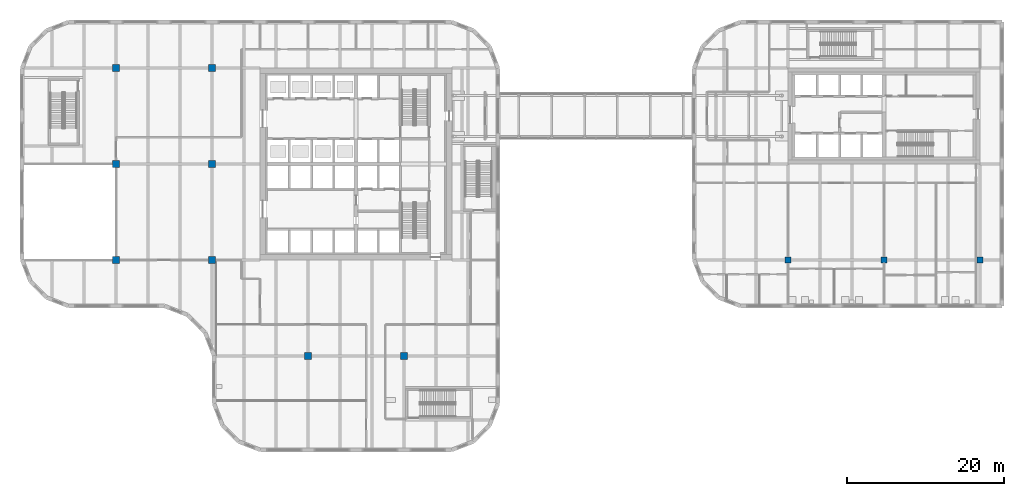
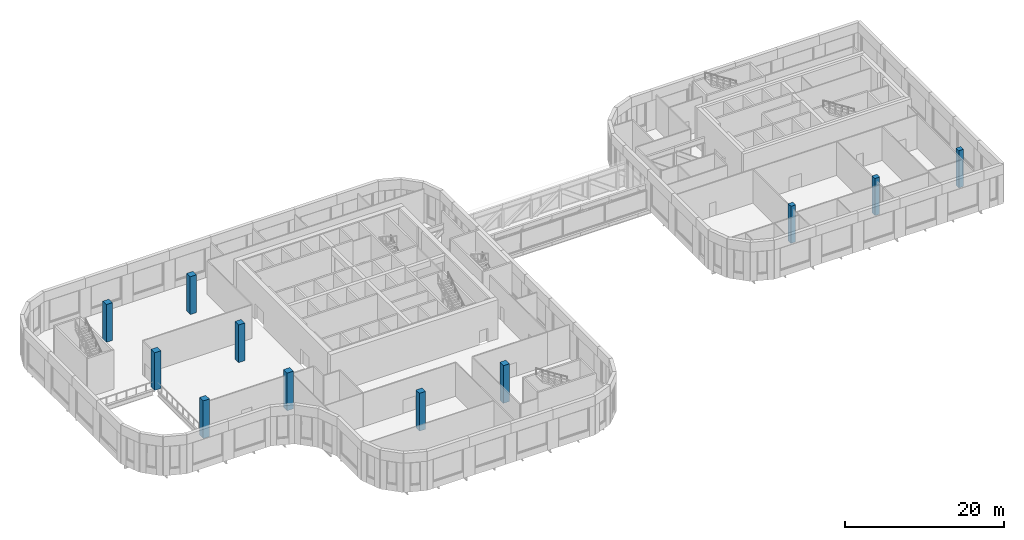
# One storey, part 1 of 36: 11 columns.
"""IFC4 building model written with IfcOpenShell, lengths in metres."""

import ifcopenshell
import ifcopenshell.guid

model = None  # the IFC model being written
_history = None  # IfcOwnerHistory: only IFC2X3 demands one
_inside = {}  # id of a spatial element -> (the spatial element, [elements in it])
_under = {}  # id of a project, library or spatial element -> (it, [spatial elements below it])
_declared = {}  # id of a project -> (the project, [libraries it declares])
_typed = {}  # id of a type object -> (the type object, [elements of that type])
_made_of = {}  # id of a material, layer set ... -> (it, [elements and type objects made of it])


def new_model(schema):
    """Start an empty IFC model of exactly this schema.

    Asked for "IFC4X3", IfcOpenShell would pick the latest addendum, in which some entities
    have other attributes; the version numbers below select the first issue.
    IFC2X3 requires an IfcOwnerHistory on every rooted entity: one is made here for all.
    """
    global model, _history
    if schema == "IFC4X3":
        model = ifcopenshell.file(schema_version=(4, 3, 0, 0))
    else:
        model = ifcopenshell.file(schema=schema)
    _inside.clear()
    _under.clear()
    _declared.clear()
    _typed.clear()
    _made_of.clear()
    _history = None
    if model.schema == "IFC2X3":
        org = make("IfcOrganization", Name="unknown")
        user = make(
            "IfcPersonAndOrganization",
            ThePerson=make("IfcPerson", FamilyName="unknown"),
            TheOrganization=org,
        )
        app = make(
            "IfcApplication",
            ApplicationDeveloper=org,
            Version="unknown",
            ApplicationFullName="unknown",
            ApplicationIdentifier="unknown",
        )
        _history = make(
            "IfcOwnerHistory",
            OwningUser=user,
            OwningApplication=app,
            ChangeAction="ADDED",
            CreationDate=0,
        )
    return model


def make(cls, **values):
    """One entity of the class cls with the attributes given. An attribute that is None is left unset."""
    return model.create_entity(
        cls, **{name: value for name, value in values.items() if value is not None}
    )


def rooted(cls, **values):
    """An entity with a GlobalId (a new one), such as an element, a storey or a relation."""
    return make(cls, GlobalId=ifcopenshell.guid.new(), OwnerHistory=_history, **values)


def si_unit(unit_type, name, prefix=None):
    """IfcSIUnit, for example si_unit("LENGTHUNIT", "METRE", prefix="MILLI")."""
    return make("IfcSIUnit", UnitType=unit_type, Prefix=prefix, Name=name)


def assignment(units):
    """IfcUnitAssignment: the units of a project."""
    return None if units is None else make("IfcUnitAssignment", Units=units)


def point(xyz):
    """IfcCartesianPoint."""
    return None if xyz is None else make("IfcCartesianPoint", Coordinates=xyz)


def direction(xyz):
    """IfcDirection."""
    return None if xyz is None else make("IfcDirection", DirectionRatios=xyz)


def frame(location, z_axis=None, x_axis=None):
    """IfcAxis2Placement3D, a coordinate frame: its origin and axes. An axis left out is left unset."""
    return make(
        "IfcAxis2Placement3D",
        Location=point(location),
        Axis=direction(z_axis),
        RefDirection=direction(x_axis),
    )


def frame_2d(location, x_axis=None):
    """IfcAxis2Placement2D, a coordinate frame in the plane: its origin and x axis."""
    return make(
        "IfcAxis2Placement2D", Location=point(location), RefDirection=direction(x_axis)
    )


def origin():
    """The frame at (0, 0, 0) with its axes left unset."""
    return frame((0.0, 0.0, 0.0))


def origin_2d():
    """The frame at (0, 0) in the plane with its x axis left unset."""
    return frame_2d((0.0, 0.0))


def place(relative_to, where):
    """IfcLocalPlacement: puts the frame where relative to a parent placement (None: the world)."""
    return make(
        "IfcLocalPlacement", PlacementRelTo=relative_to, RelativePlacement=where
    )


def context(
    kind, dimensions, precision=None, world=None, true_north=None, identifier=None
):
    """IfcGeometricRepresentationContext, for example the 3D "Model" context."""
    return make(
        "IfcGeometricRepresentationContext",
        ContextIdentifier=identifier,
        ContextType=kind,
        CoordinateSpaceDimension=dimensions,
        Precision=precision,
        WorldCoordinateSystem=world,
        TrueNorth=true_north,
    )


def subcontext(parent, identifier, kind, view, scale=None):
    """IfcGeometricRepresentationSubContext, for example "Body" below "Model"."""
    return make(
        "IfcGeometricRepresentationSubContext",
        ContextIdentifier=identifier,
        ContextType=kind,
        ParentContext=parent,
        TargetScale=scale,
        TargetView=view,
    )


def project(units=None, contexts=None):
    """IfcProject with its units and contexts."""
    return rooted(
        "IfcProject",
        Name="project",
        RepresentationContexts=contexts,
        UnitsInContext=assignment(units),
    )


def spatial(cls, under=None, at=None, **own):
    """A site, building, storey or space (cls), placed at a placement, below another one or the project."""
    s = rooted(cls, ObjectPlacement=at, **own)
    if under is not None:
        _under.setdefault(under.id(), (under, []))[1].append(s)
    return s


def profile(cls, at=None, kind="AREA", **sizes):
    """A parametric profile (cls). Its sizes go by their IFC names, for example OverallWidth=200.0."""
    return make(cls, ProfileType=kind, Position=at, **sizes)


def rectangle(**sizes):
    """IfcRectangleProfileDef."""
    return profile("IfcRectangleProfileDef", **sizes)


def extrude(swept, where, along, depth):
    """IfcExtrudedAreaSolid: the profile swept, set in the frame where, extruded along a direction by depth."""
    return make(
        "IfcExtrudedAreaSolid",
        SweptArea=swept,
        Position=where,
        ExtrudedDirection=direction(along),
        Depth=depth,
    )


def shape(context_of_items, identifier, shape_type, items):
    """IfcShapeRepresentation: the items that make up one representation, for example the "Body"."""
    return make(
        "IfcShapeRepresentation",
        ContextOfItems=context_of_items,
        RepresentationIdentifier=identifier,
        RepresentationType=shape_type,
        Items=items,
    )


def material(Name=None, Category=None):
    """IfcMaterial."""
    return make("IfcMaterial", Name=Name, Category=Category)


def material_profile(
    of_material, cross_section, Name=None, Category=None, Priority=None
):
    """IfcMaterialProfile: a cross section and its material."""
    return make(
        "IfcMaterialProfile",
        Name=Name,
        Material=of_material,
        Profile=cross_section,
        Priority=Priority,
        Category=Category,
    )


def profile_set(profiles, Name=None, composite=None):
    """IfcMaterialProfileSet."""
    return make(
        "IfcMaterialProfileSet",
        Name=Name,
        MaterialProfiles=profiles,
        CompositeProfile=composite,
    )


def made_of(thing, what):
    """Note that an element or type object is made of a material, layer set ...; save() writes the relation."""
    if what is not None:
        _made_of.setdefault(what.id(), (what, []))[1].append(thing)
    return thing


def type_object(cls, material=None, **own):
    """A type object (cls), such as IfcWallType, which elements share."""
    return made_of(rooted(cls, **own), material)


def element(
    cls,
    number,
    at=None,
    inside=None,
    cuts=None,
    type_object=None,
    material=None,
    context=None,
    identifier="Body",
    shape_type=None,
    held_by="IfcProductDefinitionShape",
    body=None,
    shapes=None,
    **own,
):
    """One element of the class cls, such as IfcWall. Its Tag is "e" and its number.

    at: its placement. inside: the storey or other place that contains it. cuts: it is an
    opening in that element (IfcRelVoidsElement). A single representation is given by context,
    identifier, shape_type and body (its items); several are given by shapes. held_by: the class
    of the entity that holds the representations. save() writes the other relations.
    """
    e = rooted(cls, Tag="e%d" % number, ObjectPlacement=at, **own)
    if body is not None:
        shapes = [shape(context, identifier, shape_type, body)]
    if shapes is not None:
        e.Representation = make(held_by, Representations=shapes)
    if inside is not None:
        _inside.setdefault(inside.id(), (inside, []))[1].append(e)
    if cuts is not None:
        rooted(
            "IfcRelVoidsElement", RelatingBuildingElement=cuts, RelatedOpeningElement=e
        )
    if type_object is not None:
        _typed.setdefault(type_object.id(), (type_object, []))[1].append(e)
    return made_of(e, material)


def aggregate(whole, parts):
    """IfcRelAggregates: a whole, such as a stair, and the parts it consists of."""
    return rooted("IfcRelAggregates", RelatingObject=whole, RelatedObjects=parts)


def save(model, path):
    """Write the relations noted so far, then the file.

    IfcRelAggregates (storeys below a building ...), IfcRelContainedInSpatialStructure (elements
    in a storey), IfcRelDefinesByType, IfcRelAssociatesMaterial and IfcRelDeclares: one each for
    every whole, place, type object, material and project.
    """
    for whole, parts in _under.values():
        aggregate(whole, parts)
    for where, things in _inside.values():
        rooted(
            "IfcRelContainedInSpatialStructure",
            RelatedElements=things,
            RelatingStructure=where,
        )
    for kind, things in _typed.values():
        rooted("IfcRelDefinesByType", RelatedObjects=things, RelatingType=kind)
    for what, things in _made_of.values():
        rooted("IfcRelAssociatesMaterial", RelatedObjects=things, RelatingMaterial=what)
    for by, libraries in _declared.values():
        rooted("IfcRelDeclares", RelatingContext=by, RelatedDefinitions=libraries)
    model.write(path)


model = new_model("IFC4")

# Units and contexts
model_context = context("Model", 3, precision=1e-05, world=origin(), true_north=direction((0.0, 1.0)))
body_context = subcontext(model_context, "Body", "Model", "MODEL_VIEW")
ifc_project = project(units=[si_unit("LENGTHUNIT", "METRE"), si_unit("AREAUNIT", "SQUARE_METRE"), si_unit("VOLUMEUNIT", "CUBIC_METRE"), si_unit("PLANEANGLEUNIT", "RADIAN"), si_unit("MASSUNIT", "GRAM", prefix="KILO")], contexts=[model_context])

# Site, building, storey
site_placement = place(None, origin())
site = spatial("IfcSite", under=ifc_project, at=site_placement, CompositionType="ELEMENT")
building_placement = place(site_placement, origin())
building = spatial("IfcBuilding", under=site, at=building_placement, Name="Tessera Gate Towers", CompositionType="ELEMENT")
storey_placement = place(building_placement, frame((0.0, 0.0, 106.60009765625)))
storey = spatial("IfcBuildingStorey", under=building, at=storey_placement, Name="L26", CompositionType="ELEMENT", Elevation=106.60009765625)

# Columns
ifc_material_1 = material(Name="Concrete C70/85", Category="concrete")
ifc_material_profile_1 = material_profile(ifc_material_1, rectangle(XDim=0.699951171875, YDim=0.699951171875, at=origin_2d()), Name="RC 700x700")
ifc_profile_set_1 = profile_set([ifc_material_profile_1], Name="Concrete C70/85")
column_type_1 = type_object("IfcColumnType", Name="COLUMN RC 700x700", PredefinedType="COLUMN", material=ifc_profile_set_1)
for number, where, z_axis, x_axis, name in (
    (1, (97.60009765625, 24.39990234375, 0.0), (0.0, 0.0, 1.0), (1.0, 0.0, 0.0), "T2-COL-9C-L26"),
    (2, (109.800048828125, 24.39990234375, 0.0), (0.0, 0.0, 1.0), (1.0, 0.0, 0.0), "T2-COL-10C-L26"),
    (3, (122.0, 24.39990234375, 0.0), (0.0, 0.0, 1.0), (1.0, 0.0, 0.0), "T2-COL-11C-L26"),
):
    element("IfcColumn", number, at=place(storey_placement, frame(where, z_axis=z_axis, x_axis=x_axis)), inside=storey, type_object=column_type_1, Name=name, PredefinedType="COLUMN", context=body_context, shape_type="SweptSolid", body=[
        extrude(rectangle(XDim=0.699951171875, YDim=0.699951171875, at=origin_2d()), origin(), (0.0, 0.0, 1.0), 5.699951171875),
    ])
ifc_material_2 = material(Name="Concrete C70/85", Category="concrete")
ifc_material_profile_2 = material_profile(ifc_material_2, rectangle(XDim=0.89990234375, YDim=0.89990234375, at=origin_2d()), Name="RC 900x900")
ifc_profile_set_2 = profile_set([ifc_material_profile_2], Name="Concrete C70/85")
column_type_2 = type_object("IfcColumnType", Name="COLUMN RC 900x900", PredefinedType="COLUMN", material=ifc_profile_set_2)
for number, where, z_axis, x_axis, name in (
    (4, (12.199951171875, 24.39990234375, 0.0), (0.0, 0.0, 1.0), (1.0, 0.0, 0.0), "T1-COL-2C-L26"),
    (5, (12.199951171875, 36.60009765625, 0.0), (0.0, 0.0, 1.0), (1.0, 0.0, 0.0), "T1-COL-2D-L26"),
    (6, (12.199951171875, 48.800048828125, 0.0), (0.0, 0.0, 1.0), (1.0, 0.0, 0.0), "T1-COL-2E-L26"),
    (7, (24.39990234375, 24.39990234375, 0.0), (0.0, 0.0, 1.0), (1.0, 0.0, 0.0), "T1-COL-3C-L26"),
    (8, (24.39990234375, 36.60009765625, 0.0), (0.0, 0.0, 1.0), (1.0, 0.0, 0.0), "T1-COL-3D-L26"),
    (9, (24.39990234375, 48.800048828125, 0.0), (0.0, 0.0, 1.0), (1.0, 0.0, 0.0), "T1-COL-3E-L26"),
    (10, (36.60009765625, 12.199951171875, 0.0), (0.0, 0.0, 1.0), (1.0, 0.0, 0.0), "T1-COL-4B-L26"),
    (11, (48.800048828125, 12.199951171875, 0.0), (0.0, 0.0, 1.0), (1.0, 0.0, 0.0), "T1-COL-5B-L26"),
):
    element("IfcColumn", number, at=place(storey_placement, frame(where, z_axis=z_axis, x_axis=x_axis)), inside=storey, type_object=column_type_2, Name=name, PredefinedType="COLUMN", context=body_context, shape_type="SweptSolid", body=[
        extrude(rectangle(XDim=0.89990234375, YDim=0.89990234375, at=origin_2d()), origin(), (0.0, 0.0, 1.0), 5.7998046875),
    ])

save(model, "model.ifc")
